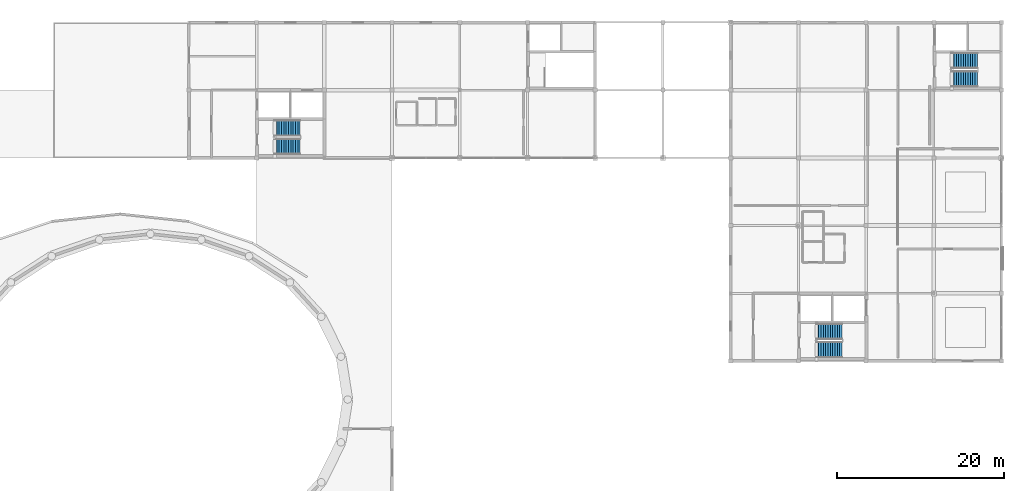
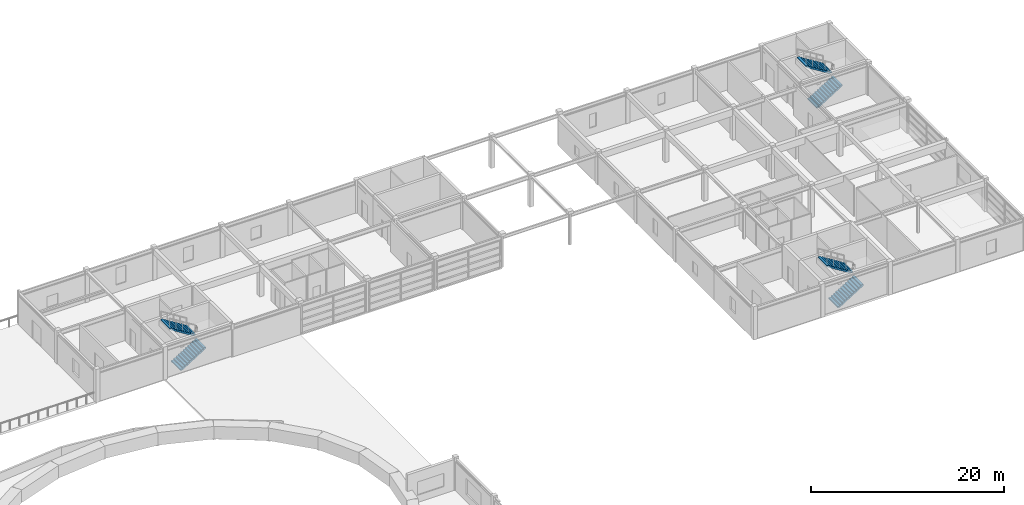
# One storey, part 21 of 26: 6 stair flights, 3 elements without a shape of their own.
"""IFC4 building model written with IfcOpenShell, lengths in metres."""

import ifcopenshell
import ifcopenshell.guid

model = None  # the IFC model being written
_history = None  # IfcOwnerHistory: only IFC2X3 demands one
_inside = {}  # id of a spatial element -> (the spatial element, [elements in it])
_under = {}  # id of a project, library or spatial element -> (it, [spatial elements below it])
_declared = {}  # id of a project -> (the project, [libraries it declares])
_typed = {}  # id of a type object -> (the type object, [elements of that type])
_made_of = {}  # id of a material, layer set ... -> (it, [elements and type objects made of it])


def new_model(schema):
    """Start an empty IFC model of exactly this schema.

    Asked for "IFC4X3", IfcOpenShell would pick the latest addendum, in which some entities
    have other attributes; the version numbers below select the first issue.
    IFC2X3 requires an IfcOwnerHistory on every rooted entity: one is made here for all.
    """
    global model, _history
    if schema == "IFC4X3":
        model = ifcopenshell.file(schema_version=(4, 3, 0, 0))
    else:
        model = ifcopenshell.file(schema=schema)
    _inside.clear()
    _under.clear()
    _declared.clear()
    _typed.clear()
    _made_of.clear()
    _history = None
    if model.schema == "IFC2X3":
        org = make("IfcOrganization", Name="unknown")
        user = make(
            "IfcPersonAndOrganization",
            ThePerson=make("IfcPerson", FamilyName="unknown"),
            TheOrganization=org,
        )
        app = make(
            "IfcApplication",
            ApplicationDeveloper=org,
            Version="unknown",
            ApplicationFullName="unknown",
            ApplicationIdentifier="unknown",
        )
        _history = make(
            "IfcOwnerHistory",
            OwningUser=user,
            OwningApplication=app,
            ChangeAction="ADDED",
            CreationDate=0,
        )
    return model


def make(cls, **values):
    """One entity of the class cls with the attributes given. An attribute that is None is left unset."""
    return model.create_entity(
        cls, **{name: value for name, value in values.items() if value is not None}
    )


def rooted(cls, **values):
    """An entity with a GlobalId (a new one), such as an element, a storey or a relation."""
    return make(cls, GlobalId=ifcopenshell.guid.new(), OwnerHistory=_history, **values)


def si_unit(unit_type, name, prefix=None):
    """IfcSIUnit, for example si_unit("LENGTHUNIT", "METRE", prefix="MILLI")."""
    return make("IfcSIUnit", UnitType=unit_type, Prefix=prefix, Name=name)


def assignment(units):
    """IfcUnitAssignment: the units of a project."""
    return None if units is None else make("IfcUnitAssignment", Units=units)


def point(xyz):
    """IfcCartesianPoint."""
    return None if xyz is None else make("IfcCartesianPoint", Coordinates=xyz)


def direction(xyz):
    """IfcDirection."""
    return None if xyz is None else make("IfcDirection", DirectionRatios=xyz)


def frame(location, z_axis=None, x_axis=None):
    """IfcAxis2Placement3D, a coordinate frame: its origin and axes. An axis left out is left unset."""
    return make(
        "IfcAxis2Placement3D",
        Location=point(location),
        Axis=direction(z_axis),
        RefDirection=direction(x_axis),
    )


def origin():
    """The frame at (0, 0, 0) with its axes left unset."""
    return frame((0.0, 0.0, 0.0))


def place(relative_to, where):
    """IfcLocalPlacement: puts the frame where relative to a parent placement (None: the world)."""
    return make(
        "IfcLocalPlacement", PlacementRelTo=relative_to, RelativePlacement=where
    )


def context(
    kind, dimensions, precision=None, world=None, true_north=None, identifier=None
):
    """IfcGeometricRepresentationContext, for example the 3D "Model" context."""
    return make(
        "IfcGeometricRepresentationContext",
        ContextIdentifier=identifier,
        ContextType=kind,
        CoordinateSpaceDimension=dimensions,
        Precision=precision,
        WorldCoordinateSystem=world,
        TrueNorth=true_north,
    )


def subcontext(parent, identifier, kind, view, scale=None):
    """IfcGeometricRepresentationSubContext, for example "Body" below "Model"."""
    return make(
        "IfcGeometricRepresentationSubContext",
        ContextIdentifier=identifier,
        ContextType=kind,
        ParentContext=parent,
        TargetScale=scale,
        TargetView=view,
    )


def project(units=None, contexts=None):
    """IfcProject with its units and contexts."""
    return rooted(
        "IfcProject",
        Name="project",
        RepresentationContexts=contexts,
        UnitsInContext=assignment(units),
    )


def spatial(cls, under=None, at=None, **own):
    """A site, building, storey or space (cls), placed at a placement, below another one or the project."""
    s = rooted(cls, ObjectPlacement=at, **own)
    if under is not None:
        _under.setdefault(under.id(), (under, []))[1].append(s)
    return s


def polyline(points):
    """IfcPolyline through the points."""
    return make("IfcPolyline", Points=[point(p) for p in points])


def outline(outer, holes=None, kind="AREA"):
    """IfcArbitraryClosedProfileDef: a profile drawn as a closed curve; with holes, ...WithVoids."""
    if holes is None:
        return make("IfcArbitraryClosedProfileDef", ProfileType=kind, OuterCurve=outer)
    return make(
        "IfcArbitraryProfileDefWithVoids",
        ProfileType=kind,
        OuterCurve=outer,
        InnerCurves=holes,
    )


def extrude(swept, where, along, depth):
    """IfcExtrudedAreaSolid: the profile swept, set in the frame where, extruded along a direction by depth."""
    return make(
        "IfcExtrudedAreaSolid",
        SweptArea=swept,
        Position=where,
        ExtrudedDirection=direction(along),
        Depth=depth,
    )


def shape(context_of_items, identifier, shape_type, items):
    """IfcShapeRepresentation: the items that make up one representation, for example the "Body"."""
    return make(
        "IfcShapeRepresentation",
        ContextOfItems=context_of_items,
        RepresentationIdentifier=identifier,
        RepresentationType=shape_type,
        Items=items,
    )


def material(Name=None, Category=None):
    """IfcMaterial."""
    return make("IfcMaterial", Name=Name, Category=Category)


def made_of(thing, what):
    """Note that an element or type object is made of a material, layer set ...; save() writes the relation."""
    if what is not None:
        _made_of.setdefault(what.id(), (what, []))[1].append(thing)
    return thing


def type_object(cls, material=None, **own):
    """A type object (cls), such as IfcWallType, which elements share."""
    return made_of(rooted(cls, **own), material)


def element(
    cls,
    number,
    at=None,
    inside=None,
    cuts=None,
    type_object=None,
    material=None,
    context=None,
    identifier="Body",
    shape_type=None,
    held_by="IfcProductDefinitionShape",
    body=None,
    shapes=None,
    **own,
):
    """One element of the class cls, such as IfcWall. Its Tag is "e" and its number.

    at: its placement. inside: the storey or other place that contains it. cuts: it is an
    opening in that element (IfcRelVoidsElement). A single representation is given by context,
    identifier, shape_type and body (its items); several are given by shapes. held_by: the class
    of the entity that holds the representations. save() writes the other relations.
    """
    e = rooted(cls, Tag="e%d" % number, ObjectPlacement=at, **own)
    if body is not None:
        shapes = [shape(context, identifier, shape_type, body)]
    if shapes is not None:
        e.Representation = make(held_by, Representations=shapes)
    if inside is not None:
        _inside.setdefault(inside.id(), (inside, []))[1].append(e)
    if cuts is not None:
        rooted(
            "IfcRelVoidsElement", RelatingBuildingElement=cuts, RelatedOpeningElement=e
        )
    if type_object is not None:
        _typed.setdefault(type_object.id(), (type_object, []))[1].append(e)
    return made_of(e, material)


def aggregate(whole, parts):
    """IfcRelAggregates: a whole, such as a stair, and the parts it consists of."""
    return rooted("IfcRelAggregates", RelatingObject=whole, RelatedObjects=parts)


def save(model, path):
    """Write the relations noted so far, then the file.

    IfcRelAggregates (storeys below a building ...), IfcRelContainedInSpatialStructure (elements
    in a storey), IfcRelDefinesByType, IfcRelAssociatesMaterial and IfcRelDeclares: one each for
    every whole, place, type object, material and project.
    """
    for whole, parts in _under.values():
        aggregate(whole, parts)
    for where, things in _inside.values():
        rooted(
            "IfcRelContainedInSpatialStructure",
            RelatedElements=things,
            RelatingStructure=where,
        )
    for kind, things in _typed.values():
        rooted("IfcRelDefinesByType", RelatedObjects=things, RelatingType=kind)
    for what, things in _made_of.values():
        rooted("IfcRelAssociatesMaterial", RelatedObjects=things, RelatingMaterial=what)
    for by, libraries in _declared.values():
        rooted("IfcRelDeclares", RelatingContext=by, RelatedDefinitions=libraries)
    model.write(path)


model = new_model("IFC4")

# Units and contexts
model_context = context("Model", 3, precision=1e-05, world=origin(), true_north=direction((0.0, 1.0)))
body_context = subcontext(model_context, "Body", "Model", "MODEL_VIEW")
ifc_project = project(units=[si_unit("LENGTHUNIT", "METRE"), si_unit("AREAUNIT", "SQUARE_METRE"), si_unit("VOLUMEUNIT", "CUBIC_METRE"), si_unit("PLANEANGLEUNIT", "RADIAN"), si_unit("MASSUNIT", "GRAM", prefix="KILO")], contexts=[model_context])

# Site, building, storey
site_placement = place(None, origin())
site = spatial("IfcSite", under=ifc_project, at=site_placement, CompositionType="ELEMENT")
building_placement = place(site_placement, origin())
building = spatial("IfcBuilding", under=site, at=building_placement, Name="Parian Resonance Hall", CompositionType="ELEMENT")
storey_placement = place(building_placement, frame((0.0, 0.0, 19.199951171875)))
storey = spatial("IfcBuildingStorey", under=building, at=storey_placement, Name="L04", CompositionType="ELEMENT", Elevation=19.199951171875)

# Stair, stair flights
ifc_material_1 = material(Name="Concrete C40/50", Category="concrete")
stair_type_1 = type_object("IfcStairType", Name="STAIR-CORE-1800", PredefinedType="HALF_TURN_STAIR", material=ifc_material_1)
stair_1_placement = place(storey_placement, origin())
stair_1 = element("IfcStair", 1, at=stair_1_placement, inside=storey, type_object=stair_type_1, Name="L04 ST-06", PredefinedType="HALF_TURN_STAIR")
ifc_material_2 = material(Name="Concrete C40/50", Category="concrete")
stair_flight_type_1 = type_object("IfcStairFlightType", Name="FLIGHT-1800", PredefinedType="STRAIGHT", material=ifc_material_2)
stair_flight_1_placement = place(storey_placement, frame((139.820068359375, 82.340087890625, 0.0), z_axis=(0.0, 0.0, 1.0), x_axis=(1.0, 0.0, 0.0)))
stair_flight_1 = element("IfcStairFlight", 2, at=stair_flight_1_placement, type_object=stair_flight_type_1, Name="ST-06 flight 1", NumberOfRisers=12, NumberOfTreads=11, PredefinedType="STRAIGHT", RiserHeight=0.175, TreadLength=0.28, context=body_context, shape_type="SweptSolid", body=[
    extrude(outline(polyline([(0.0, 0.0), (0.0, 0.175048828125), (0.280029296875, 0.175048828125), (0.280029296875, 0.35009765625), (0.56005859375, 0.35009765625), (0.56005859375, 0.52490234375), (0.840087890625, 0.52490234375), (0.840087890625, 0.699951171875), (1.1201171875, 0.699951171875), (1.1201171875, 0.875), (1.39990234375, 0.875), (1.39990234375, 1.050048828125), (1.679931640625, 1.050048828125), (1.679931640625, 1.22509765625), (1.9599609375, 1.22509765625), (1.9599609375, 1.39990234375), (2.239990234375, 1.39990234375), (2.239990234375, 1.574951171875), (2.52001953125, 1.574951171875), (2.52001953125, 1.75), (2.800048828125, 1.75), (2.800048828125, 1.925048828125), (3.080078125, 1.925048828125), (3.080078125, 2.10009765625), (3.080078125, 1.748291015625), (0.28271484375, 0.0), (0.0, 0.0)])), frame((0.0, 0.93994140625, 0.0), z_axis=(0.0, -1.0, 0.0), x_axis=(1.0, 0.0, 0.0)), (0.0, 0.0, 1.0), 1.8798828125),
])
stair_flight_2_placement = place(storey_placement, frame((142.89990234375, 84.52001953125, 2.10009765625), z_axis=(0.0, 0.0, 1.0), x_axis=(-1.0, 0.0, 0.0)))
stair_flight_2 = element("IfcStairFlight", 3, at=stair_flight_2_placement, type_object=stair_flight_type_1, Name="ST-06 flight 2", NumberOfRisers=12, NumberOfTreads=11, PredefinedType="STRAIGHT", RiserHeight=0.175, TreadLength=0.28, context=body_context, shape_type="SweptSolid", body=[
    extrude(outline(polyline([(0.0, 0.0), (0.0, 0.175048828125), (0.280029296875, 0.175048828125), (0.280029296875, 0.35009765625), (0.56005859375, 0.35009765625), (0.56005859375, 0.52490234375), (0.840087890625, 0.52490234375), (0.840087890625, 0.699951171875), (1.1201171875, 0.699951171875), (1.1201171875, 0.875), (1.39990234375, 0.875), (1.39990234375, 1.050048828125), (1.679931640625, 1.050048828125), (1.679931640625, 1.22509765625), (1.9599609375, 1.22509765625), (1.9599609375, 1.39990234375), (2.239990234375, 1.39990234375), (2.239990234375, 1.574951171875), (2.52001953125, 1.574951171875), (2.52001953125, 1.75), (2.800048828125, 1.75), (2.800048828125, 1.925048828125), (3.080078125, 1.925048828125), (3.080078125, 2.10009765625), (3.080078125, 1.748291015625), (0.28271484375, 0.0), (0.0, 0.0)])), frame((0.0, 0.93994140625, 0.0), z_axis=(0.0, -1.0, 0.0), x_axis=(1.0, 0.0, 0.0)), (0.0, 0.0, 1.0), 1.8798828125),
])
aggregate(stair_1, [stair_flight_1, stair_flight_2])

ifc_material_3 = material(Name="Concrete C40/50", Category="concrete")
stair_type_2 = type_object("IfcStairType", Name="STAIR-CORE-1850", PredefinedType="HALF_TURN_STAIR", material=ifc_material_3)
stair_2_placement = place(storey_placement, origin())
stair_2 = element("IfcStair", 4, at=stair_2_placement, inside=storey, type_object=stair_type_2, Name="L04 ST-01", PredefinedType="HALF_TURN_STAIR")
ifc_material_4 = material(Name="Concrete C40/50", Category="concrete")
stair_flight_type_2 = type_object("IfcStairFlightType", Name="FLIGHT-1850", PredefinedType="STRAIGHT", material=ifc_material_4)
stair_flight_3_placement = place(storey_placement, frame((58.840087890625, 74.25, 0.0), z_axis=(0.0, 0.0, 1.0), x_axis=(1.0, 0.0, 0.0)))
stair_flight_3 = element("IfcStairFlight", 5, at=stair_flight_3_placement, type_object=stair_flight_type_2, Name="ST-01 flight 1", NumberOfRisers=12, NumberOfTreads=11, PredefinedType="STRAIGHT", RiserHeight=0.175, TreadLength=0.28, context=body_context, shape_type="SweptSolid", body=[
    extrude(outline(polyline([(0.0, 0.0), (0.0, 0.175048828125), (0.280029296875, 0.175048828125), (0.280029296875, 0.35009765625), (0.56005859375, 0.35009765625), (0.56005859375, 0.52490234375), (0.840087890625, 0.52490234375), (0.840087890625, 0.699951171875), (1.1201171875, 0.699951171875), (1.1201171875, 0.875), (1.39990234375, 0.875), (1.39990234375, 1.050048828125), (1.679931640625, 1.050048828125), (1.679931640625, 1.22509765625), (1.9599609375, 1.22509765625), (1.9599609375, 1.39990234375), (2.239990234375, 1.39990234375), (2.239990234375, 1.574951171875), (2.52001953125, 1.574951171875), (2.52001953125, 1.75), (2.800048828125, 1.75), (2.800048828125, 1.925048828125), (3.080078125, 1.925048828125), (3.080078125, 2.10009765625), (3.080078125, 1.748291015625), (0.28271484375, 0.0), (0.0, 0.0)])), frame((0.0, 0.949951171875, 0.0), z_axis=(0.0, -1.0, 0.0), x_axis=(1.0, 0.0, 0.0)), (0.0, 0.0, 1.0), 1.89990234375),
])
stair_flight_4_placement = place(storey_placement, frame((61.919921875, 76.449951171875, 2.10009765625), z_axis=(0.0, 0.0, 1.0), x_axis=(-1.0, 0.0, 0.0)))
stair_flight_4 = element("IfcStairFlight", 6, at=stair_flight_4_placement, type_object=stair_flight_type_2, Name="ST-01 flight 2", NumberOfRisers=12, NumberOfTreads=11, PredefinedType="STRAIGHT", RiserHeight=0.175, TreadLength=0.28, context=body_context, shape_type="SweptSolid", body=[
    extrude(outline(polyline([(0.0, 0.0), (0.0, 0.175048828125), (0.280029296875, 0.175048828125), (0.280029296875, 0.35009765625), (0.56005859375, 0.35009765625), (0.56005859375, 0.52490234375), (0.840087890625, 0.52490234375), (0.840087890625, 0.699951171875), (1.1201171875, 0.699951171875), (1.1201171875, 0.875), (1.39990234375, 0.875), (1.39990234375, 1.050048828125), (1.679931640625, 1.050048828125), (1.679931640625, 1.22509765625), (1.9599609375, 1.22509765625), (1.9599609375, 1.39990234375), (2.239990234375, 1.39990234375), (2.239990234375, 1.574951171875), (2.52001953125, 1.574951171875), (2.52001953125, 1.75), (2.800048828125, 1.75), (2.800048828125, 1.925048828125), (3.080078125, 1.925048828125), (3.080078125, 2.10009765625), (3.080078125, 1.748291015625), (0.28271484375, 0.0), (0.0, 0.0)])), frame((0.0, 0.949951171875, 0.0), z_axis=(0.0, -1.0, 0.0), x_axis=(1.0, 0.0, 0.0)), (0.0, 0.0, 1.0), 1.89990234375),
])
aggregate(stair_2, [stair_flight_3, stair_flight_4])

stair_3_placement = place(storey_placement, origin())
stair_3 = element("IfcStair", 7, at=stair_3_placement, inside=storey, type_object=stair_type_2, Name="L04 ST-02", PredefinedType="HALF_TURN_STAIR")
stair_flight_5_placement = place(storey_placement, frame((123.639892578125, 49.949951171875, 0.0), z_axis=(0.0, 0.0, 1.0), x_axis=(1.0, 0.0, 0.0)))
stair_flight_5 = element("IfcStairFlight", 8, at=stair_flight_5_placement, type_object=stair_flight_type_2, Name="ST-02 flight 1", NumberOfRisers=12, NumberOfTreads=11, PredefinedType="STRAIGHT", RiserHeight=0.175, TreadLength=0.28, context=body_context, shape_type="SweptSolid", body=[
    extrude(outline(polyline([(0.0, 0.0), (0.0, 0.175048828125), (0.280029296875, 0.175048828125), (0.280029296875, 0.35009765625), (0.56005859375, 0.35009765625), (0.56005859375, 0.52490234375), (0.840087890625, 0.52490234375), (0.840087890625, 0.699951171875), (1.1201171875, 0.699951171875), (1.1201171875, 0.875), (1.39990234375, 0.875), (1.39990234375, 1.050048828125), (1.679931640625, 1.050048828125), (1.679931640625, 1.22509765625), (1.9599609375, 1.22509765625), (1.9599609375, 1.39990234375), (2.239990234375, 1.39990234375), (2.239990234375, 1.574951171875), (2.52001953125, 1.574951171875), (2.52001953125, 1.75), (2.800048828125, 1.75), (2.800048828125, 1.925048828125), (3.080078125, 1.925048828125), (3.080078125, 2.10009765625), (3.080078125, 1.748291015625), (0.28271484375, 0.0), (0.0, 0.0)])), frame((0.0, 0.949951171875, 0.0), z_axis=(0.0, -1.0, 0.0), x_axis=(1.0, 0.0, 0.0)), (0.0, 0.0, 1.0), 1.89990234375),
])
stair_flight_6_placement = place(storey_placement, frame((126.719970703125, 52.14990234375, 2.10009765625), z_axis=(0.0, 0.0, 1.0), x_axis=(-1.0, 0.0, 0.0)))
stair_flight_6 = element("IfcStairFlight", 9, at=stair_flight_6_placement, type_object=stair_flight_type_2, Name="ST-02 flight 2", NumberOfRisers=12, NumberOfTreads=11, PredefinedType="STRAIGHT", RiserHeight=0.175, TreadLength=0.28, context=body_context, shape_type="SweptSolid", body=[
    extrude(outline(polyline([(0.0, 0.0), (0.0, 0.175048828125), (0.280029296875, 0.175048828125), (0.280029296875, 0.35009765625), (0.56005859375, 0.35009765625), (0.56005859375, 0.52490234375), (0.840087890625, 0.52490234375), (0.840087890625, 0.699951171875), (1.1201171875, 0.699951171875), (1.1201171875, 0.875), (1.39990234375, 0.875), (1.39990234375, 1.050048828125), (1.679931640625, 1.050048828125), (1.679931640625, 1.22509765625), (1.9599609375, 1.22509765625), (1.9599609375, 1.39990234375), (2.239990234375, 1.39990234375), (2.239990234375, 1.574951171875), (2.52001953125, 1.574951171875), (2.52001953125, 1.75), (2.800048828125, 1.75), (2.800048828125, 1.925048828125), (3.080078125, 1.925048828125), (3.080078125, 2.10009765625), (3.080078125, 1.748291015625), (0.28271484375, 0.0), (0.0, 0.0)])), frame((0.0, 0.949951171875, 0.0), z_axis=(0.0, -1.0, 0.0), x_axis=(1.0, 0.0, 0.0)), (0.0, 0.0, 1.0), 1.89990234375),
])
aggregate(stair_3, [stair_flight_5, stair_flight_6])

save(model, "model.ifc")
